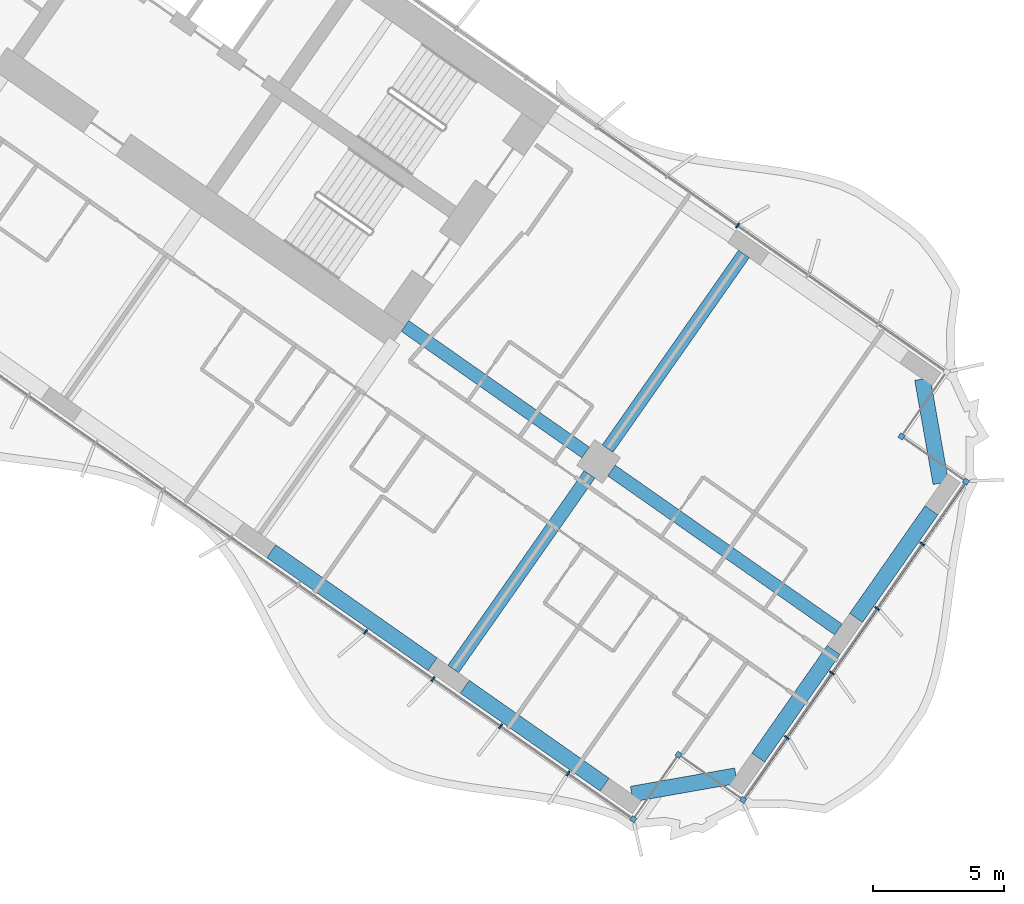
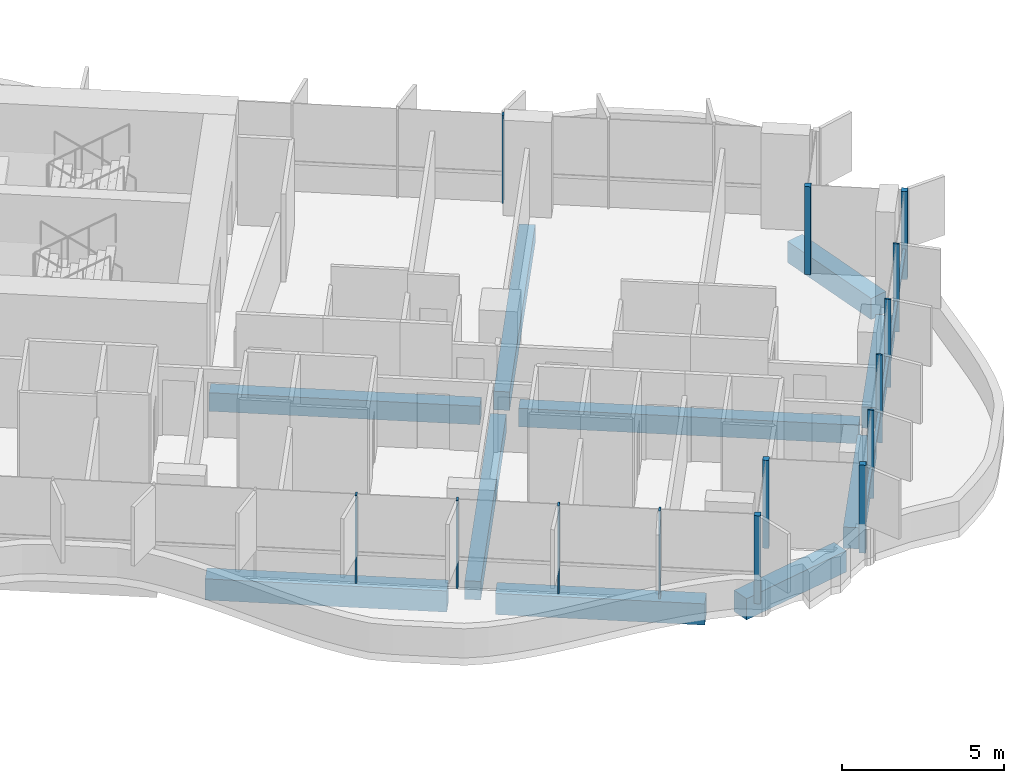
# One storey, part 9 of 25: 15 members, 10 beams, 1 element without a shape of its own.
"""IFC4 building model written with IfcOpenShell, lengths in metres."""

from ifc_helpers import new_model, si_unit, direction, frame, origin, origin_2d, place, context, subcontext, project, spatial, rectangle, extrude, material, material_profile, profile_set, type_object, element, aggregate, save


model = new_model("IFC4")

# Units and contexts
model_context = context("Model", 3, precision=1e-05, world=origin(), true_north=direction((0.0, 1.0)))
body_context = subcontext(model_context, "Body", "Model", "MODEL_VIEW")
ifc_project = project(units=[si_unit("LENGTHUNIT", "METRE"), si_unit("AREAUNIT", "SQUARE_METRE"), si_unit("VOLUMEUNIT", "CUBIC_METRE"), si_unit("PLANEANGLEUNIT", "RADIAN"), si_unit("MASSUNIT", "GRAM", prefix="KILO")], contexts=[model_context])

# Site, building, storey
site_placement = place(None, origin())
site = spatial("IfcSite", under=ifc_project, at=site_placement, CompositionType="ELEMENT")
building_placement = place(site_placement, origin())
building = spatial("IfcBuilding", under=site, at=building_placement, Name="Tel Ilan Convention Tower", CompositionType="ELEMENT")
storey_placement = place(building_placement, frame((0.0, 0.0, 54.5)))
storey = spatial("IfcBuildingStorey", under=building, at=storey_placement, Name="L08", CompositionType="ELEMENT", Elevation=54.5)

# Beams
ifc_material_1 = material(Name="Concrete C40/50", Category="concrete")
ifc_material_profile_1 = material_profile(ifc_material_1, rectangle(XDim=0.5, YDim=0.699951171875, at=origin_2d()), Name="RC 500x700")
ifc_profile_set_1 = profile_set([ifc_material_profile_1], Name="Concrete C40/50")
beam_type_1 = type_object("IfcBeamType", Name="Beam RC 500x700 Concrete C40/50", PredefinedType="BEAM", material=ifc_profile_set_1)
beam_1_placement = place(storey_placement, frame((22.1171875, -15.486572265625, -0.6298828125), z_axis=(0.819147254605, -0.573583276668, 0.0), x_axis=(0.573583276668, 0.819147254605, 0.0)))
element("IfcBeam", 1, at=beam_1_placement, inside=storey, type_object=beam_type_1, Name="L08 beam E-core-E-M4", PredefinedType="BEAM", context=body_context, shape_type="SweptSolid", body=[
    extrude(rectangle(XDim=0.5, YDim=0.699951171875, at=origin_2d()), origin(), (0.0, 0.0, 1.0), 8.400146484375),
])
beam_2_placement = place(storey_placement, frame((29.98095703125, -20.992919921875, -0.6298828125), z_axis=(0.819151461915, -0.573577268067, 0.0), x_axis=(0.573577268067, 0.819151461915, 0.0)))
element("IfcBeam", 2, at=beam_2_placement, inside=storey, type_object=beam_type_1, Name="L08 beam E-E-M4-end", PredefinedType="BEAM", context=body_context, shape_type="SweptSolid", body=[
    extrude(rectangle(XDim=0.5, YDim=0.699951171875, at=origin_2d()), origin(), (0.0, 0.0, 1.0), 10.550048828125),
])
for number, where, z_axis, x_axis, name in (
    (3, (29.145263671875, -21.14013671875, -0.6298828125), (-0.573549245583, -0.819171082798, 0.0), (0.819171082798, -0.573549245583, 0.0), "L08 beam E-E-M4-E-F4"),
    (4, (29.83349609375, -20.1572265625, -0.6298828125), (0.57358002233, 0.819149533348, 0.0), (-0.819149533348, 0.57358002233, 0.0), "L08 beam E-E-M4-E-B4"),
):
    element("IfcBeam", number, at=place(storey_placement, frame(where, z_axis=z_axis, x_axis=x_axis)), inside=storey, type_object=beam_type_1, Name=name, PredefinedType="BEAM", context=body_context, shape_type="SweptSolid", body=[
        extrude(rectangle(XDim=0.5, YDim=0.699951171875, at=origin_2d()), origin(), (0.0, 0.0, 1.0), 9.050048828125),
    ])
ifc_material_2 = material(Name="Concrete C40/50", Category="concrete")
ifc_material_profile_2 = material_profile(ifc_material_2, rectangle(XDim=0.60009765625, YDim=0.800048828125, at=origin_2d()), Name="RC 600x800")
ifc_profile_set_2 = profile_set([ifc_material_profile_2], Name="Concrete C40/50")
beam_type_2 = type_object("IfcBeamType", Name="Beam RC 600x800 Concrete C40/50", PredefinedType="BEAM", material=ifc_profile_set_2)
beam_3_placement = place(storey_placement, frame((17.0244140625, -24.0673828125, -0.679931640625), z_axis=(0.81915238829, -0.573575945067, 0.0), x_axis=(0.573575945067, 0.81915238829, 0.0)))
element("IfcBeam", 5, at=beam_3_placement, inside=storey, type_object=beam_type_2, Name="L08 beam E-E-F3-E-F4", PredefinedType="BEAM", context=body_context, shape_type="SweptSolid", body=[
    extrude(rectangle(XDim=0.60009765625, YDim=0.800048828125, at=origin_2d()), origin(), (0.0, 0.0, 1.0), 7.5),
])
beam_4_placement = place(storey_placement, frame((24.396728515625, -29.2294921875, -0.679931640625), z_axis=(0.819148977158, -0.573580816643, 0.0), x_axis=(0.573580816643, 0.819148977158, 0.0)))
element("IfcBeam", 6, at=beam_4_placement, inside=storey, type_object=beam_type_2, Name="L08 beam E-E-F4-E-FC", PredefinedType="BEAM", context=body_context, shape_type="SweptSolid", body=[
    extrude(rectangle(XDim=0.60009765625, YDim=0.800048828125, at=origin_2d()), origin(), (0.0, 0.0, 1.0), 6.5),
])
beam_5_placement = place(storey_placement, frame((30.75341796875, -33.314208984375, -0.679931640625), z_axis=(0.984815252405, 0.173605641124, 0.0), x_axis=(-0.173605641124, 0.984815252405, 0.0)))
element("IfcBeam", 7, at=beam_5_placement, inside=storey, type_object=beam_type_2, Name="L08 beam E-E-FC-E-E1", PredefinedType="BEAM", context=body_context, shape_type="SweptSolid", body=[
    extrude(rectangle(XDim=0.60009765625, YDim=0.800048828125, at=origin_2d()), origin(), (0.0, 0.0, 1.0), 4.030517578125),
])
for number, where, z_axis, x_axis, name in (
    (8, (35.57080078125, -31.92626953125, -0.679931640625), (0.573586866468, 0.819144740944, 0.0), (-0.819144740944, 0.573586866468, 0.0), "L08 beam E-E-E1-E-E2"),
    (9, (39.298828125, -26.601806640625, -0.679931640625), (0.573586866468, 0.819144740944, 0.0), (-0.819144740944, 0.573586866468, 0.0), "L08 beam E-E-E2-E-E3"),
):
    element("IfcBeam", number, at=place(storey_placement, frame(where, z_axis=z_axis, x_axis=x_axis)), inside=storey, type_object=beam_type_2, Name=name, PredefinedType="BEAM", context=body_context, shape_type="SweptSolid", body=[
        extrude(rectangle(XDim=0.60009765625, YDim=0.800048828125, at=origin_2d()), origin(), (0.0, 0.0, 1.0), 5.0),
    ])
beam_6_placement = place(storey_placement, frame((42.523193359375, -21.473876953125, -0.679931640625), z_axis=(-0.173605641124, 0.984815252405, 0.0), x_axis=(-0.984815252405, -0.173605641124, 0.0)))
element("IfcBeam", 10, at=beam_6_placement, inside=storey, type_object=beam_type_2, Name="L08 beam E-E-E3-E-BC", PredefinedType="BEAM", context=body_context, shape_type="SweptSolid", body=[
    extrude(rectangle(XDim=0.60009765625, YDim=0.800048828125, at=origin_2d()), origin(), (0.0, 0.0, 1.0), 4.030517578125),
])

# Curtain wall, members
ifc_material_3 = material(Name="Aluminium, bronze anodised", Category="aluminium")
curtain_wall_type = type_object("IfcCurtainWallType", Name="CW1 UNITISED CURTAIN WALL, HOTEL TINTED GLASS", PredefinedType="NOTDEFINED", material=ifc_material_3)
curtain_wall_placement = place(storey_placement, origin())
curtain_wall = element("IfcCurtainWall", 11, at=curtain_wall_placement, inside=storey, type_object=curtain_wall_type, Name="Curtain wall CW1-11.02", PredefinedType="NOTDEFINED")
ifc_material_4 = material(Name="Aluminium, bronze anodised", Category="aluminium")
ifc_material_profile_3 = material_profile(ifc_material_4, rectangle(XDim=0.199951171875, YDim=0.199951171875, at=origin_2d()), Name="CW CORNER MULLION 200x200")
ifc_profile_set_3 = profile_set([ifc_material_profile_3], Name="Aluminium, bronze anodised")
member_type_1 = type_object("IfcMemberType", Name="CW CORNER MULLION 200x200", PredefinedType="MULLION", material=ifc_profile_set_3)
member_1_placement = place(storey_placement, frame((30.814697265625, -34.272705078125, 0.0), z_axis=(0.0, 0.0, 1.0), x_axis=(0.819152044289, -0.573576436351, 0.0)))
member_1 = element("IfcMember", 12, at=member_1_placement, type_object=member_type_1, Name="Corner mullion", PredefinedType="MULLION", context=body_context, shape_type="SweptSolid", body=[
    extrude(rectangle(XDim=0.199951171875, YDim=0.199951171875, at=origin_2d()), origin(), (0.0, 0.0, 1.0), 3.320068359375),
])
member_2_placement = place(storey_placement, frame((32.535400390625, -31.815185546875, 0.0), z_axis=(0.0, 0.0, 1.0), x_axis=(0.573576436351, 0.819152044289, 0.0)))
member_2 = element("IfcMember", 13, at=member_2_placement, type_object=member_type_1, Name="Corner mullion", PredefinedType="MULLION", context=body_context, shape_type="SweptSolid", body=[
    extrude(rectangle(XDim=0.199951171875, YDim=0.199951171875, at=origin_2d()), origin(), (0.0, 0.0, 1.0), 3.320068359375),
])
member_3_placement = place(storey_placement, frame((34.992919921875, -33.5361328125, 0.0), z_axis=(0.0, 0.0, 1.0), x_axis=(0.819152044289, -0.573576436351, 0.0)))
member_3 = element("IfcMember", 14, at=member_3_placement, type_object=member_type_1, Name="Corner mullion", PredefinedType="MULLION", context=body_context, shape_type="SweptSolid", body=[
    extrude(rectangle(XDim=0.199951171875, YDim=0.199951171875, at=origin_2d()), origin(), (0.0, 0.0, 1.0), 3.320068359375),
])
member_4_placement = place(storey_placement, frame((43.48193359375, -21.41259765625, 0.0), z_axis=(0.0, 0.0, 1.0), x_axis=(0.573576436351, 0.819152044289, 0.0)))
member_4 = element("IfcMember", 15, at=member_4_placement, type_object=member_type_1, Name="Corner mullion", PredefinedType="MULLION", context=body_context, shape_type="SweptSolid", body=[
    extrude(rectangle(XDim=0.199951171875, YDim=0.199951171875, at=origin_2d()), origin(), (0.0, 0.0, 1.0), 3.320068359375),
])
member_5_placement = place(storey_placement, frame((41.0244140625, -19.69189453125, 0.0), z_axis=(0.0, 0.0, 1.0), x_axis=(-0.819152044289, 0.573576436351, 0.0)))
member_5 = element("IfcMember", 16, at=member_5_placement, type_object=member_type_1, Name="Corner mullion", PredefinedType="MULLION", context=body_context, shape_type="SweptSolid", body=[
    extrude(rectangle(XDim=0.199951171875, YDim=0.199951171875, at=origin_2d()), origin(), (0.0, 0.0, 1.0), 3.320068359375),
])
ifc_material_5 = material(Name="Aluminium, bronze anodised", Category="aluminium")
ifc_material_profile_4 = material_profile(ifc_material_5, rectangle(XDim=0.06005859375, YDim=0.199951171875, at=origin_2d()), Name="CW MULLION 60x200")
ifc_profile_set_4 = profile_set([ifc_material_profile_4], Name="Aluminium, bronze anodised")
member_type_2 = type_object("IfcMemberType", Name="CW MULLION 60x200", PredefinedType="MULLION", material=ifc_profile_set_4)
member_6_placement = place(storey_placement, frame((20.616943359375, -27.132080078125, 0.0), z_axis=(0.0, 0.0, 1.0), x_axis=(0.819152044289, -0.573576436351, 0.0)))
member_6 = element("IfcMember", 17, at=member_6_placement, type_object=member_type_2, Name="Mullion", PredefinedType="MULLION", context=body_context, shape_type="SweptSolid", body=[
    extrude(rectangle(XDim=0.06005859375, YDim=0.199951171875, at=origin_2d()), origin(), (0.0, 0.0, 1.0), 3.320068359375),
])
member_7_placement = place(storey_placement, frame((23.186767578125, -28.931640625, 0.0), z_axis=(0.0, 0.0, 1.0), x_axis=(0.819152044289, -0.573576436351, 0.0)))
member_7 = element("IfcMember", 18, at=member_7_placement, type_object=member_type_2, Name="Mullion", PredefinedType="MULLION", context=body_context, shape_type="SweptSolid", body=[
    extrude(rectangle(XDim=0.06005859375, YDim=0.199951171875, at=origin_2d()), origin(), (0.0, 0.0, 1.0), 3.320068359375),
])
member_8_placement = place(storey_placement, frame((25.7568359375, -30.731201171875, 0.0), z_axis=(0.0, 0.0, 1.0), x_axis=(0.819152044289, -0.573576436351, 0.0)))
member_8 = element("IfcMember", 19, at=member_8_placement, type_object=member_type_2, Name="Mullion", PredefinedType="MULLION", context=body_context, shape_type="SweptSolid", body=[
    extrude(rectangle(XDim=0.06005859375, YDim=0.199951171875, at=origin_2d()), origin(), (0.0, 0.0, 1.0), 3.320068359375),
])
member_9_placement = place(storey_placement, frame((28.32666015625, -32.530517578125, 0.0), z_axis=(0.0, 0.0, 1.0), x_axis=(0.819152044289, -0.573576436351, 0.0)))
member_9 = element("IfcMember", 20, at=member_9_placement, type_object=member_type_2, Name="Mullion", PredefinedType="MULLION", context=body_context, shape_type="SweptSolid", body=[
    extrude(rectangle(XDim=0.06005859375, YDim=0.199951171875, at=origin_2d()), origin(), (0.0, 0.0, 1.0), 3.320068359375),
])
member_10_placement = place(storey_placement, frame((36.65625, -31.160400390625, 0.0), z_axis=(0.0, 0.0, 1.0), x_axis=(0.573576436351, 0.819152044289, 0.0)))
member_10 = element("IfcMember", 21, at=member_10_placement, type_object=member_type_2, Name="Mullion", PredefinedType="MULLION", context=body_context, shape_type="SweptSolid", body=[
    extrude(rectangle(XDim=0.06005859375, YDim=0.199951171875, at=origin_2d()), origin(), (0.0, 0.0, 1.0), 3.320068359375),
])
member_11_placement = place(storey_placement, frame((38.376953125, -28.703125, 0.0), z_axis=(0.0, 0.0, 1.0), x_axis=(0.573576436351, 0.819152044289, 0.0)))
member_11 = element("IfcMember", 22, at=member_11_placement, type_object=member_type_2, Name="Mullion", PredefinedType="MULLION", context=body_context, shape_type="SweptSolid", body=[
    extrude(rectangle(XDim=0.06005859375, YDim=0.199951171875, at=origin_2d()), origin(), (0.0, 0.0, 1.0), 3.320068359375),
])
member_12_placement = place(storey_placement, frame((40.09765625, -26.24560546875, 0.0), z_axis=(0.0, 0.0, 1.0), x_axis=(0.573576436351, 0.819152044289, 0.0)))
member_12 = element("IfcMember", 23, at=member_12_placement, type_object=member_type_2, Name="Mullion", PredefinedType="MULLION", context=body_context, shape_type="SweptSolid", body=[
    extrude(rectangle(XDim=0.06005859375, YDim=0.199951171875, at=origin_2d()), origin(), (0.0, 0.0, 1.0), 3.320068359375),
])
member_13_placement = place(storey_placement, frame((41.818359375, -23.7880859375, 0.0), z_axis=(0.0, 0.0, 1.0), x_axis=(0.573576436351, 0.819152044289, 0.0)))
member_13 = element("IfcMember", 24, at=member_13_placement, type_object=member_type_2, Name="Mullion", PredefinedType="MULLION", context=body_context, shape_type="SweptSolid", body=[
    extrude(rectangle(XDim=0.06005859375, YDim=0.199951171875, at=origin_2d()), origin(), (0.0, 0.0, 1.0), 3.320068359375),
])
member_14_placement = place(storey_placement, frame((34.7861328125, -11.66162109375, 0.0), z_axis=(0.0, 0.0, 1.0), x_axis=(-0.819152044289, 0.573576436351, 0.0)))
member_14 = element("IfcMember", 25, at=member_14_placement, type_object=member_type_2, Name="Mullion", PredefinedType="MULLION", context=body_context, shape_type="SweptSolid", body=[
    extrude(rectangle(XDim=0.06005859375, YDim=0.199951171875, at=origin_2d()), origin(), (0.0, 0.0, 1.0), 3.320068359375),
])
ifc_material_6 = material(Name="Aluminium, bronze anodised", Category="aluminium")
ifc_material_profile_5 = material_profile(ifc_material_6, rectangle(XDim=0.10009765625, YDim=0.1201171875, at=origin_2d()), Name="CW TRANSOM 100x120")
ifc_profile_set_5 = profile_set([ifc_material_profile_5], Name="Aluminium, bronze anodised")
member_type_3 = type_object("IfcMemberType", Name="CW TRANSOM 100x120", PredefinedType="USERDEFINED", material=ifc_profile_set_5)
member_15_placement = place(storey_placement, frame((35.05029296875, -33.4541015625, 1.10009765625), z_axis=(0.573575688231, 0.819152568128, 0.0), x_axis=(-0.819152568128, 0.573575688231, 0.0)))
member_15 = element("IfcMember", 26, at=member_15_placement, type_object=member_type_3, Name="Transom", ObjectType="TRANSOM", PredefinedType="USERDEFINED", context=body_context, shape_type="SweptSolid", body=[
    extrude(rectangle(XDim=0.10009765625, YDim=0.1201171875, at=origin_2d()), origin(), (0.0, 0.0, 1.0), 14.60009765625),
])
aggregate(curtain_wall, [member_6, member_7, member_8, member_9, member_1, member_2, member_3, member_10, member_11, member_12, member_13, member_4, member_15, member_5, member_14])

save(model, "model.ifc")
